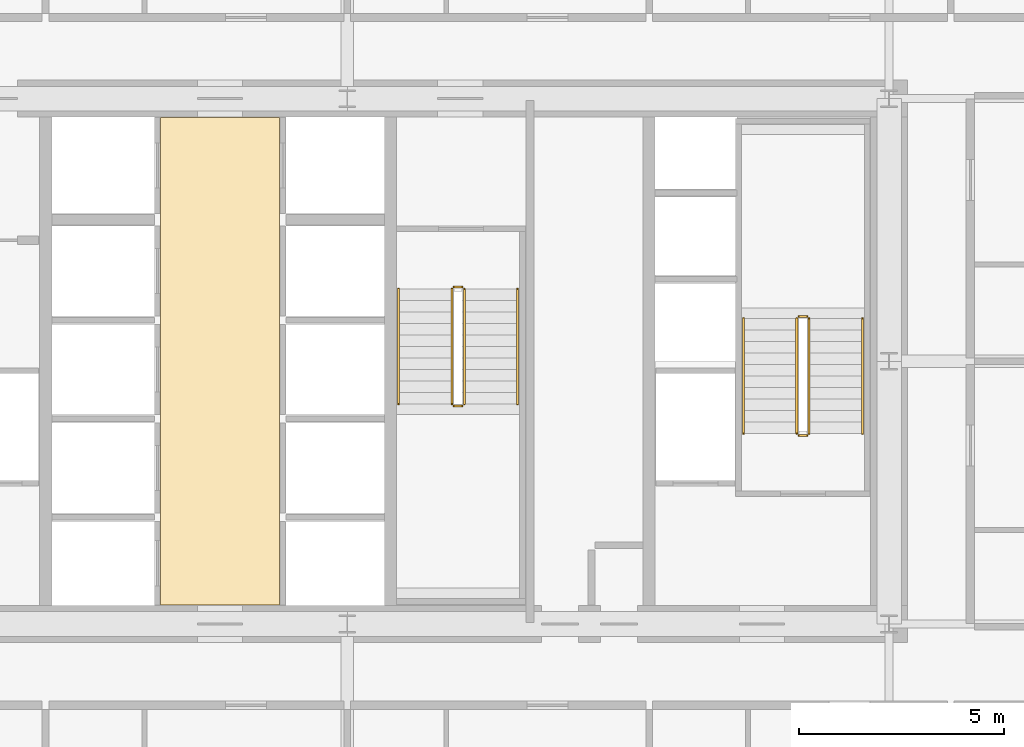
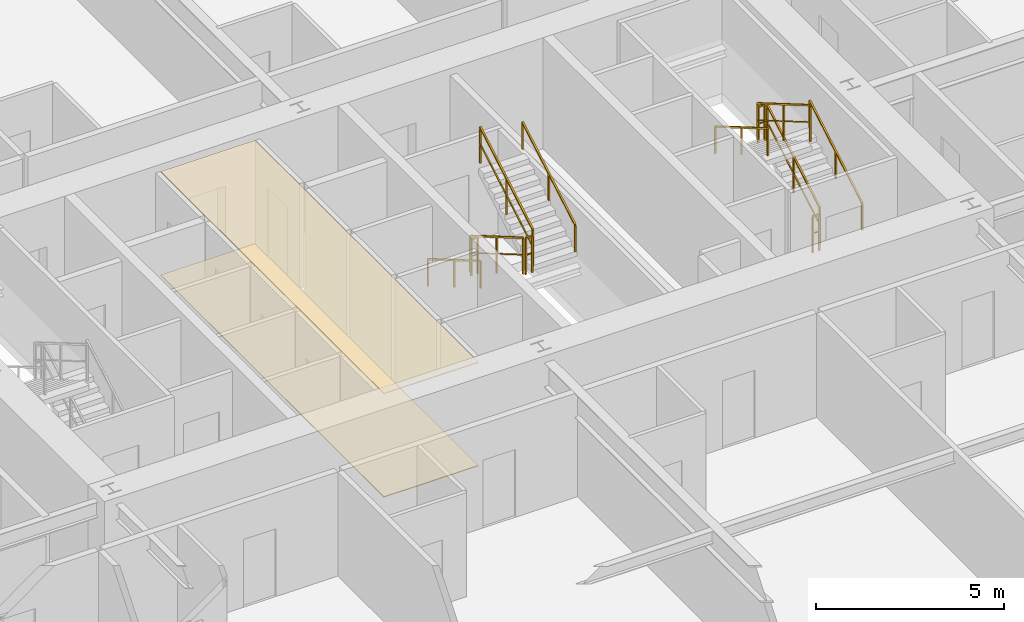
# One storey, part 44 of 45: 12 railings, 2 coverings.
"""IFC4 building model written with IfcOpenShell, lengths in metres."""

from ifc_helpers import new_model, si_unit, direction, frame, origin, origin_2d, place, context, subcontext, project, spatial, polyline, rectangle, outline, extrude, source, transform, mapped, material, layer, layer_set, type_object, element, save


model = new_model("IFC4")

# Units and contexts
model_context = context("Model", 3, precision=1e-05, world=origin(), true_north=direction((0.0, 1.0)))
body_context = subcontext(model_context, "Body", "Model", "MODEL_VIEW")
ifc_project = project(units=[si_unit("LENGTHUNIT", "METRE"), si_unit("AREAUNIT", "SQUARE_METRE"), si_unit("VOLUMEUNIT", "CUBIC_METRE"), si_unit("PLANEANGLEUNIT", "RADIAN"), si_unit("MASSUNIT", "GRAM", prefix="KILO"), si_unit("THERMODYNAMICTEMPERATUREUNIT", "KELVIN"), si_unit("POWERUNIT", "WATT")], contexts=[model_context])

# Site, building, storey
site_placement = place(None, origin())
site = spatial("IfcSite", under=ifc_project, at=site_placement, CompositionType="ELEMENT")
building_placement = place(site_placement, origin())
building = spatial("IfcBuilding", under=site, at=building_placement, Name="Yuzanri Waterfront Tower", CompositionType="ELEMENT")
storey_placement = place(building_placement, frame((0.0, 0.0, 30.60009765625)))
storey = spatial("IfcBuildingStorey", under=building, at=storey_placement, Name="L07", CompositionType="ELEMENT", Elevation=30.60009765625)

# Coverings
ifc_material_1 = material(Name="Engineered Smoked-Oak Timber", Category="wood")
ifc_layer_1 = layer(ifc_material_1, 0.02197265625)
ifc_layer_set_1 = layer_set([ifc_layer_1], Name="Engineered Smoked-Oak Timber")
covering_type_1 = type_object("IfcCoveringType", Name="Engineered Smoked-Oak Residence Flooring 22", PredefinedType="FLOORING", material=ifc_layer_set_1)
covering_1_placement = place(storey_placement, origin())
element("IfcCovering", 1, at=covering_1_placement, inside=storey, type_object=covering_type_1, Name="L07 Smoked-Oak Floor Finish", PredefinedType="FLOORING", context=body_context, shape_type="SweptSolid", body=[
    extrude(outline(polyline([(32.449951171875, 19.860107421875), (35.35009765625, 19.860107421875), (35.35009765625, 31.739990234375), (32.449951171875, 31.739990234375), (32.449951171875, 19.860107421875)])), origin(), (0.0, 0.0, 1.0), 0.02197265625),
])
ifc_material_2 = material(Name="Acoustic Mineral-Fibre Ceiling Board", Category="gypsum")
ifc_layer_2 = layer(ifc_material_2, 0.02490234375)
ifc_layer_set_2 = layer_set([ifc_layer_2], Name="Acoustic Mineral-Fibre Ceiling Board")
covering_type_2 = type_object("IfcCoveringType", Name="Perforated Mineral-Fibre Acoustic Ceiling Tile 25", PredefinedType="CEILING", material=ifc_layer_set_2)
covering_2_placement = place(storey_placement, frame((0.0, 0.0, 3.35498046875)))
element("IfcCovering", 2, at=covering_2_placement, inside=storey, type_object=covering_type_2, Name="L07 Acoustic Mineral-Fibre Ceiling", PredefinedType="CEILING", context=body_context, shape_type="SweptSolid", body=[
    extrude(outline(polyline([(32.449951171875, 19.860107421875), (35.35009765625, 19.860107421875), (35.35009765625, 31.739990234375), (32.449951171875, 31.739990234375), (32.449951171875, 19.860107421875)])), origin(), (0.0, 0.0, 1.0), 0.02490234375),
])

# Railings
ifc_material_3 = material(Name="Painted Galvanized Fire Steel", Category="steel")
ifc_layer_3 = layer(ifc_material_3, 0.06005859375)
ifc_layer_set_3 = layer_set([ifc_layer_3], Name="Painted Galvanized Fire Steel")
railing_type_1 = type_object("IfcRailingType", Name="Painted Steel Stairwell Guardrail 1120", PredefinedType="GUARDRAIL", material=ifc_layer_set_3)
shared_shape_1 = source(origin(), body_context, "Body", "SweptSolid", [
    extrude(rectangle(XDim=0.050048828125, YDim=0.050048828125, at=origin_2d()), frame((0.0, 0.0, 1.1748046875), z_axis=(-1.0, 0.0, 0.0), x_axis=(0.0, -1.0, 0.0)), (0.0, 0.0, 1.0), 0.199951171875),
    extrude(rectangle(XDim=0.035888671875, YDim=0.030029296875, at=origin_2d()), frame((0.0, 0.0, 0.6240234375), z_axis=(-1.0, 0.0, 0.0), x_axis=(0.0, -1.0, 0.0)), (0.0, 0.0, 1.0), 0.199951171875),
    extrude(rectangle(XDim=0.0458984375, YDim=0.0458984375, at=origin_2d()), origin(), (0.0, 0.0, 1.0), 1.14990234375),
    extrude(rectangle(XDim=0.0458984375, YDim=0.0458984375, at=origin_2d()), frame((-0.199951171875, 0.0, 0.0)), (0.0, 0.0, 1.0), 1.14990234375),
])
for number, where, name in (
    (3, (48.199951171875, 26.889892578125, 1.7998046875), "L07 ST-02 stair guard 2"),
    (4, (48.199951171875, 23.989990234375, 0.0), "L07 ST-02 stair guard 4"),
):
    element("IfcRailing", number, at=place(storey_placement, frame(where)), inside=storey, type_object=railing_type_1, Name=name, PredefinedType="GUARDRAIL", context=body_context, shape_type="MappedRepresentation", body=[
        mapped(shared_shape_1, transform((0.0, 0.0, 0.0), scale=1.0)),
    ])
shared_shape_2 = source(origin(), body_context, "Body", "SweptSolid", [
    extrude(rectangle(XDim=0.050048828125, YDim=0.050048828125, at=origin_2d()), frame((0.0, 0.0, 1.1748046875), z_axis=(0.0, 0.863393664356, 0.504530851732), x_axis=(-1.0, 0.0, 0.0)), (0.0, 0.0, 1.0), 3.2431640625),
    extrude(rectangle(XDim=0.035888671875, YDim=0.030029296875, at=origin_2d()), frame((0.0, 0.0, 0.6240234375), z_axis=(0.0, 0.863393664356, 0.504530851732), x_axis=(-1.0, 0.0, 0.0)), (0.0, 0.0, 1.0), 3.2431640625),
    extrude(rectangle(XDim=0.0458984375, YDim=0.0458984375, at=origin_2d()), origin(), (0.0, 0.0, 1.0), 1.14990234375),
    extrude(rectangle(XDim=0.0458984375, YDim=0.0458984375, at=origin_2d()), frame((0.0, 1.39990234375, 0.818115234375)), (0.0, 0.0, 1.0), 1.14990234375),
    extrude(rectangle(XDim=0.0458984375, YDim=0.0458984375, at=origin_2d()), frame((0.0, 2.800048828125, 1.63623046875)), (0.0, 0.0, 1.0), 1.14990234375),
])
for number, where, name in (
    (5, (48.25, 24.0400390625, 0.16357421875), "L07 ST-02 stair guard 1"),
    (6, (39.85009765625, 24.760009765625, 1.963623046875), "L07 ST-03 stair guard 3"),
):
    element("IfcRailing", number, at=place(storey_placement, frame(where)), inside=storey, type_object=railing_type_1, Name=name, PredefinedType="GUARDRAIL", context=body_context, shape_type="MappedRepresentation", body=[
        mapped(shared_shape_2, transform((0.0, 0.0, 0.0), scale=1.0)),
    ])
shared_shape_3 = source(origin(), body_context, "Body", "SweptSolid", [
    extrude(rectangle(XDim=0.050048828125, YDim=0.050048828125, at=origin_2d()), frame((0.0, 0.0, 1.1748046875), z_axis=(0.0, -0.863393664356, 0.504530851732), x_axis=(1.0, 0.0, 0.0)), (0.0, 0.0, 1.0), 3.2431640625),
    extrude(rectangle(XDim=0.035888671875, YDim=0.030029296875, at=origin_2d()), frame((0.0, 0.0, 0.6240234375), z_axis=(0.0, -0.863393664356, 0.504530851732), x_axis=(1.0, 0.0, 0.0)), (0.0, 0.0, 1.0), 3.2431640625),
    extrude(rectangle(XDim=0.0458984375, YDim=0.0458984375, at=origin_2d()), origin(), (0.0, 0.0, 1.0), 1.14990234375),
    extrude(rectangle(XDim=0.0458984375, YDim=0.0458984375, at=origin_2d()), frame((0.0, -1.39990234375, 0.818115234375)), (0.0, 0.0, 1.0), 1.14990234375),
    extrude(rectangle(XDim=0.0458984375, YDim=0.0458984375, at=origin_2d()), frame((0.0, -2.800048828125, 1.63623046875)), (0.0, 0.0, 1.0), 1.14990234375),
])
for number, where, name in (
    (7, (47.949951171875, 26.840087890625, 1.963623046875), "L07 ST-02 stair guard 3"),
    (8, (39.550048828125, 27.56005859375, 0.16357421875), "L07 ST-03 stair guard 1"),
):
    element("IfcRailing", number, at=place(storey_placement, frame(where)), inside=storey, type_object=railing_type_1, Name=name, PredefinedType="GUARDRAIL", context=body_context, shape_type="MappedRepresentation", body=[
        mapped(shared_shape_3, transform((0.0, 0.0, 0.0), scale=1.0)),
    ])
ifc_material_4 = material(Name="Anodized Architectural Bronze", Category="metal")
ifc_layer_4 = layer(ifc_material_4, 0.050048828125)
ifc_layer_set_4 = layer_set([ifc_layer_4], Name="Anodized Architectural Bronze")
railing_type_2 = type_object("IfcRailingType", Name="Brushed Bronze Stair Pitch Handrail 920", PredefinedType="HANDRAIL", material=ifc_layer_set_4)
shared_shape_4 = source(origin(), body_context, "Body", "SweptSolid", [
    extrude(rectangle(XDim=0.050048828125, YDim=0.050048828125, at=origin_2d()), frame((0.0, 0.0, 0.875), z_axis=(0.0, 0.863393664356, 0.504530851732), x_axis=(-1.0, 0.0, 0.0)), (0.0, 0.0, 1.0), 3.2431640625),
    extrude(rectangle(XDim=0.0458984375, YDim=0.0458984375, at=origin_2d()), origin(), (0.0, 0.0, 1.0), 0.849853515625),
    extrude(rectangle(XDim=0.0458984375, YDim=0.0458984375, at=origin_2d()), frame((0.0, 1.39990234375, 0.818115234375)), (0.0, 0.0, 1.0), 0.849853515625),
    extrude(rectangle(XDim=0.0458984375, YDim=0.0458984375, at=origin_2d()), frame((0.0, 2.800048828125, 1.63623046875)), (0.0, 0.0, 1.0), 0.849853515625),
])
for number, where, name in (
    (9, (49.550048828125, 24.0400390625, 0.16357421875), "L07 ST-02 stair handrail 1"),
    (10, (41.14990234375, 24.760009765625, 1.963623046875), "L07 ST-03 stair handrail 2"),
):
    element("IfcRailing", number, at=place(storey_placement, frame(where)), inside=storey, type_object=railing_type_2, Name=name, PredefinedType="HANDRAIL", context=body_context, shape_type="MappedRepresentation", body=[
        mapped(shared_shape_4, transform((0.0, 0.0, 0.0), scale=1.0)),
    ])
shared_shape_5 = source(origin(), body_context, "Body", "SweptSolid", [
    extrude(rectangle(XDim=0.050048828125, YDim=0.050048828125, at=origin_2d()), frame((0.0, 0.0, 0.875), z_axis=(0.0, -0.863393664356, 0.504530851732), x_axis=(1.0, 0.0, 0.0)), (0.0, 0.0, 1.0), 3.2431640625),
    extrude(rectangle(XDim=0.0458984375, YDim=0.0458984375, at=origin_2d()), origin(), (0.0, 0.0, 1.0), 0.849853515625),
    extrude(rectangle(XDim=0.0458984375, YDim=0.0458984375, at=origin_2d()), frame((0.0, -1.39990234375, 0.818115234375)), (0.0, 0.0, 1.0), 0.849853515625),
    extrude(rectangle(XDim=0.0458984375, YDim=0.0458984375, at=origin_2d()), frame((0.0, -2.800048828125, 1.63623046875)), (0.0, 0.0, 1.0), 0.849853515625),
])
for number, where, name in (
    (11, (46.64990234375, 26.840087890625, 1.963623046875), "L07 ST-02 stair handrail 2"),
    (12, (38.25, 27.56005859375, 0.16357421875), "L07 ST-03 stair handrail 1"),
):
    element("IfcRailing", number, at=place(storey_placement, frame(where)), inside=storey, type_object=railing_type_2, Name=name, PredefinedType="HANDRAIL", context=body_context, shape_type="MappedRepresentation", body=[
        mapped(shared_shape_5, transform((0.0, 0.0, 0.0), scale=1.0)),
    ])
shared_shape_6 = source(origin(), body_context, "Body", "SweptSolid", [
    extrude(rectangle(XDim=0.050048828125, YDim=0.050048828125, at=origin_2d()), frame((0.0, 0.0, 1.1748046875), z_axis=(1.0, 0.0, 0.0), x_axis=(0.0, 1.0, 0.0)), (0.0, 0.0, 1.0), 0.199951171875),
    extrude(rectangle(XDim=0.035888671875, YDim=0.030029296875, at=origin_2d()), frame((0.0, 0.0, 0.6240234375), z_axis=(1.0, 0.0, 0.0), x_axis=(0.0, 1.0, 0.0)), (0.0, 0.0, 1.0), 0.199951171875),
    extrude(rectangle(XDim=0.0458984375, YDim=0.0458984375, at=origin_2d()), origin(), (0.0, 0.0, 1.0), 1.14990234375),
    extrude(rectangle(XDim=0.0458984375, YDim=0.0458984375, at=origin_2d()), frame((0.199951171875, 0.0, 0.0)), (0.0, 0.0, 1.0), 1.14990234375),
])
for number, where, name in (
    (13, (39.60009765625, 24.7099609375, 1.7998046875), "L07 ST-03 stair guard 2"),
    (14, (39.60009765625, 27.610107421875, 0.0), "L07 ST-03 stair guard 4"),
):
    element("IfcRailing", number, at=place(storey_placement, frame(where)), inside=storey, type_object=railing_type_1, Name=name, PredefinedType="GUARDRAIL", context=body_context, shape_type="MappedRepresentation", body=[
        mapped(shared_shape_6, transform((0.0, 0.0, 0.0), scale=1.0)),
    ])

save(model, "model.ifc")
